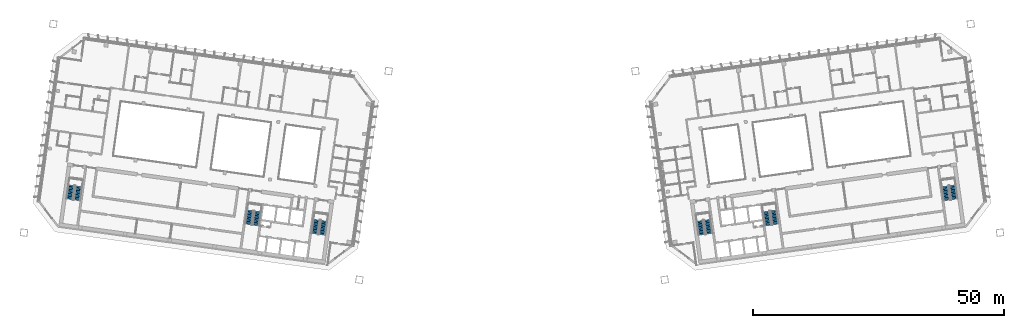
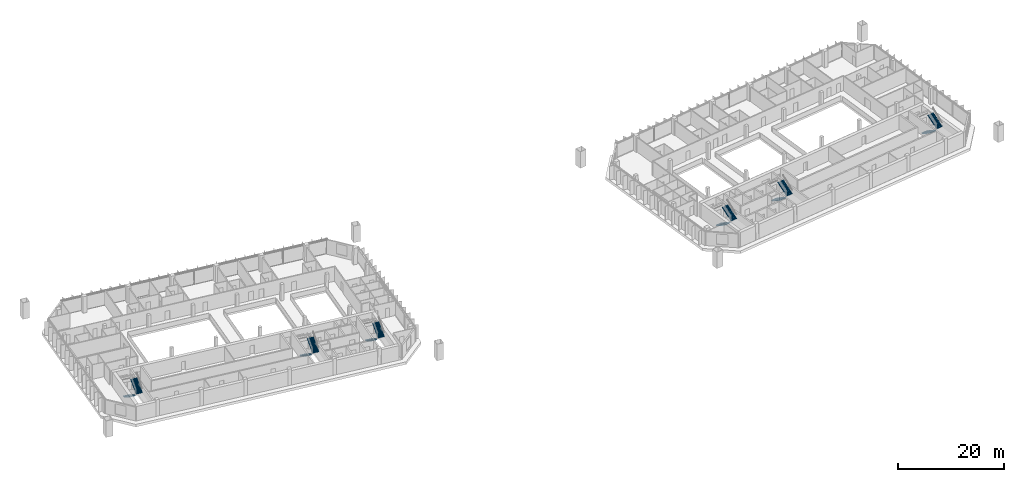
# One storey, part 24 of 26: 12 stair flights, 6 elements without a shape of their own.
"""IFC4 building model written with IfcOpenShell, lengths in metres."""

from ifc_helpers import new_model, si_unit, direction, frame, origin, place, context, subcontext, project, spatial, polyline, outline, extrude, material, type_object, element, aggregate, save


model = new_model("IFC4")

# Units and contexts
model_context = context("Model", 3, precision=1e-05, world=origin(), true_north=direction((0.0, 1.0)))
body_context = subcontext(model_context, "Body", "Model", "MODEL_VIEW")
ifc_project = project(units=[si_unit("LENGTHUNIT", "METRE"), si_unit("AREAUNIT", "SQUARE_METRE"), si_unit("VOLUMEUNIT", "CUBIC_METRE"), si_unit("PLANEANGLEUNIT", "RADIAN"), si_unit("MASSUNIT", "GRAM", prefix="KILO")], contexts=[model_context])

# Site, building, storey
site_placement = place(None, origin())
site = spatial("IfcSite", under=ifc_project, at=site_placement, CompositionType="ELEMENT")
building_placement = place(site_placement, origin())
building = spatial("IfcBuilding", under=site, at=building_placement, Name="Mirante Cascada Hotel Towers", CompositionType="ELEMENT")
storey_placement = place(building_placement, frame((0.0, 0.0, 168.8)))
storey = spatial("IfcBuildingStorey", under=building, at=storey_placement, Name="L39", CompositionType="ELEMENT", Elevation=168.8)

# Stair, stair flights
ifc_material_1 = material(Name="Concrete C35/45", Category="concrete")
stair_type = type_object("IfcStairType", Name="Exit stair half-turn 1350 concrete C35/45", PredefinedType="HALF_TURN_STAIR", material=ifc_material_1)
stair_1_placement = place(storey_placement, origin())
stair_1 = element("IfcStair", 1, at=stair_1_placement, inside=storey, type_object=stair_type, Name="L39 Exit stair A", PredefinedType="HALF_TURN_STAIR")
ifc_material_2 = material(Name="Concrete C35/45", Category="concrete")
stair_flight_type = type_object("IfcStairFlightType", Name="Exit stair flight 1350 concrete C35/45", PredefinedType="STRAIGHT", material=ifc_material_2)
stair_flight_1_placement = place(storey_placement, frame((-38.9417, -11.195, 0.0), z_axis=(0.0, 0.0, 1.0), x_axis=(-0.1391731, -0.9902681, 0.0)))
stair_flight_1 = element("IfcStairFlight", 2, at=stair_flight_1_placement, type_object=stair_flight_type, Name="ST1-A flight 1", NumberOfRisers=11, NumberOfTreads=10, PredefinedType="STRAIGHT", RiserHeight=0.172727273, TreadLength=0.28, context=body_context, shape_type="SweptSolid", body=[
    extrude(outline(polyline([(0.0, 0.0), (0.0, 0.1727), (0.28, 0.1727), (0.28, 0.3455), (0.56, 0.3455), (0.56, 0.5182), (0.84, 0.5182), (0.84, 0.6909), (1.12, 0.6909), (1.12, 0.8636), (1.4, 0.8636), (1.4, 1.0364), (1.68, 1.0364), (1.68, 1.2091), (1.96, 1.2091), (1.96, 1.3818), (2.24, 1.3818), (2.24, 1.5545), (2.52, 1.5545), (2.52, 1.7273), (2.8, 1.7273), (2.8, 1.9), (2.8, 1.551), (0.2857, 0.0), (0.0, 0.0)])), frame((0.0, 0.675, 0.0), z_axis=(0.0, -1.0, 0.0), x_axis=(1.0, 0.0, 0.0)), (0.0, 0.0, 1.0), 1.35),
])
stair_flight_2_placement = place(storey_placement, frame((-37.846, -14.1765, 1.9), z_axis=(0.0, 0.0, 1.0), x_axis=(0.1391731, 0.9902681, 0.0)))
stair_flight_2 = element("IfcStairFlight", 3, at=stair_flight_2_placement, type_object=stair_flight_type, Name="ST1-A flight 2", NumberOfRisers=11, NumberOfTreads=10, PredefinedType="STRAIGHT", RiserHeight=0.172727273, TreadLength=0.28, context=body_context, shape_type="SweptSolid", body=[
    extrude(outline(polyline([(0.0, 0.0), (0.0, 0.1727), (0.28, 0.1727), (0.28, 0.3455), (0.56, 0.3455), (0.56, 0.5182), (0.84, 0.5182), (0.84, 0.6909), (1.12, 0.6909), (1.12, 0.8636), (1.4, 0.8636), (1.4, 1.0364), (1.68, 1.0364), (1.68, 1.2091), (1.96, 1.2091), (1.96, 1.3818), (2.24, 1.3818), (2.24, 1.5545), (2.52, 1.5545), (2.52, 1.7273), (2.8, 1.7273), (2.8, 1.9), (2.8, 1.551), (0.2857, 0.0), (0.0, 0.0)])), frame((0.0, 0.675, 0.0), z_axis=(0.0, -1.0, 0.0), x_axis=(1.0, 0.0, 0.0)), (0.0, 0.0, 1.0), 1.35),
])
aggregate(stair_1, [stair_flight_1, stair_flight_2])

stair_2_placement = place(storey_placement, origin())
stair_2 = element("IfcStair", 4, at=stair_2_placement, inside=storey, type_object=stair_type, Name="L39 Exit stair B", PredefinedType="HALF_TURN_STAIR")
stair_flight_3_placement = place(storey_placement, frame((-52.1618, -9.3371, 0.0), z_axis=(0.0, 0.0, 1.0), x_axis=(-0.1391731, -0.9902681, 0.0)))
stair_flight_3 = element("IfcStairFlight", 5, at=stair_flight_3_placement, type_object=stair_flight_type, Name="ST1-B flight 1", NumberOfRisers=11, NumberOfTreads=10, PredefinedType="STRAIGHT", RiserHeight=0.172727273, TreadLength=0.28, context=body_context, shape_type="SweptSolid", body=[
    extrude(outline(polyline([(0.0, 0.0), (0.0, 0.1727), (0.28, 0.1727), (0.28, 0.3455), (0.56, 0.3455), (0.56, 0.5182), (0.84, 0.5182), (0.84, 0.6909), (1.12, 0.6909), (1.12, 0.8636), (1.4, 0.8636), (1.4, 1.0364), (1.68, 1.0364), (1.68, 1.2091), (1.96, 1.2091), (1.96, 1.3818), (2.24, 1.3818), (2.24, 1.5545), (2.52, 1.5545), (2.52, 1.7273), (2.8, 1.7273), (2.8, 1.9), (2.8, 1.551), (0.2857, 0.0), (0.0, 0.0)])), frame((0.0, 0.675, 0.0), z_axis=(0.0, -1.0, 0.0), x_axis=(1.0, 0.0, 0.0)), (0.0, 0.0, 1.0), 1.35),
])
stair_flight_4_placement = place(storey_placement, frame((-51.0661, -12.3186, 1.9), z_axis=(0.0, 0.0, 1.0), x_axis=(0.1391731, 0.9902681, 0.0)))
stair_flight_4 = element("IfcStairFlight", 6, at=stair_flight_4_placement, type_object=stair_flight_type, Name="ST1-B flight 2", NumberOfRisers=11, NumberOfTreads=10, PredefinedType="STRAIGHT", RiserHeight=0.172727273, TreadLength=0.28, context=body_context, shape_type="SweptSolid", body=[
    extrude(outline(polyline([(0.0, 0.0), (0.0, 0.1727), (0.28, 0.1727), (0.28, 0.3455), (0.56, 0.3455), (0.56, 0.5182), (0.84, 0.5182), (0.84, 0.6909), (1.12, 0.6909), (1.12, 0.8636), (1.4, 0.8636), (1.4, 1.0364), (1.68, 1.0364), (1.68, 1.2091), (1.96, 1.2091), (1.96, 1.3818), (2.24, 1.3818), (2.24, 1.5545), (2.52, 1.5545), (2.52, 1.7273), (2.8, 1.7273), (2.8, 1.9), (2.8, 1.551), (0.2857, 0.0), (0.0, 0.0)])), frame((0.0, 0.675, 0.0), z_axis=(0.0, -1.0, 0.0), x_axis=(1.0, 0.0, 0.0)), (0.0, 0.0, 1.0), 1.35),
])
aggregate(stair_2, [stair_flight_3, stair_flight_4])

stair_3_placement = place(storey_placement, origin())
stair_3 = element("IfcStair", 7, at=stair_3_placement, inside=storey, type_object=stair_type, Name="L39 Exit stair C", PredefinedType="HALF_TURN_STAIR")
stair_flight_5_placement = place(storey_placement, frame((-87.8115, -4.3268, 0.0), z_axis=(0.0, 0.0, 1.0), x_axis=(-0.1391731, -0.9902681, 0.0)))
stair_flight_5 = element("IfcStairFlight", 8, at=stair_flight_5_placement, type_object=stair_flight_type, Name="ST1-C flight 1", NumberOfRisers=11, NumberOfTreads=10, PredefinedType="STRAIGHT", RiserHeight=0.172727273, TreadLength=0.28, context=body_context, shape_type="SweptSolid", body=[
    extrude(outline(polyline([(0.0, 0.0), (0.0, 0.1727), (0.28, 0.1727), (0.28, 0.3455), (0.56, 0.3455), (0.56, 0.5182), (0.84, 0.5182), (0.84, 0.6909), (1.12, 0.6909), (1.12, 0.8636), (1.4, 0.8636), (1.4, 1.0364), (1.68, 1.0364), (1.68, 1.2091), (1.96, 1.2091), (1.96, 1.3818), (2.24, 1.3818), (2.24, 1.5545), (2.52, 1.5545), (2.52, 1.7273), (2.8, 1.7273), (2.8, 1.9), (2.8, 1.551), (0.2857, 0.0), (0.0, 0.0)])), frame((0.0, 0.675, 0.0), z_axis=(0.0, -1.0, 0.0), x_axis=(1.0, 0.0, 0.0)), (0.0, 0.0, 1.0), 1.35),
])
stair_flight_6_placement = place(storey_placement, frame((-86.7157, -7.3084, 1.9), z_axis=(0.0, 0.0, 1.0), x_axis=(0.1391731, 0.9902681, 0.0)))
stair_flight_6 = element("IfcStairFlight", 9, at=stair_flight_6_placement, type_object=stair_flight_type, Name="ST1-C flight 2", NumberOfRisers=11, NumberOfTreads=10, PredefinedType="STRAIGHT", RiserHeight=0.172727273, TreadLength=0.28, context=body_context, shape_type="SweptSolid", body=[
    extrude(outline(polyline([(0.0, 0.0), (0.0, 0.1727), (0.28, 0.1727), (0.28, 0.3455), (0.56, 0.3455), (0.56, 0.5182), (0.84, 0.5182), (0.84, 0.6909), (1.12, 0.6909), (1.12, 0.8636), (1.4, 0.8636), (1.4, 1.0364), (1.68, 1.0364), (1.68, 1.2091), (1.96, 1.2091), (1.96, 1.3818), (2.24, 1.3818), (2.24, 1.5545), (2.52, 1.5545), (2.52, 1.7273), (2.8, 1.7273), (2.8, 1.9), (2.8, 1.551), (0.2857, 0.0), (0.0, 0.0)])), frame((0.0, 0.675, 0.0), z_axis=(0.0, -1.0, 0.0), x_axis=(1.0, 0.0, 0.0)), (0.0, 0.0, 1.0), 1.35),
])
aggregate(stair_3, [stair_flight_5, stair_flight_6])

stair_4_placement = place(storey_placement, origin())
stair_4 = element("IfcStair", 10, at=stair_4_placement, inside=storey, type_object=stair_type, Name="L39 Exit stair A", PredefinedType="HALF_TURN_STAIR")
stair_flight_7_placement = place(storey_placement, frame((37.4563, -11.4038, 0.0), z_axis=(0.0, 0.0, 1.0), x_axis=(0.1391731, -0.9902681, 0.0)))
stair_flight_7 = element("IfcStairFlight", 11, at=stair_flight_7_placement, type_object=stair_flight_type, Name="ST2-A flight 1", NumberOfRisers=11, NumberOfTreads=10, PredefinedType="STRAIGHT", RiserHeight=0.172727273, TreadLength=0.28, context=body_context, shape_type="SweptSolid", body=[
    extrude(outline(polyline([(0.0, 0.0), (0.0, 0.1727), (0.28, 0.1727), (0.28, 0.3455), (0.56, 0.3455), (0.56, 0.5182), (0.84, 0.5182), (0.84, 0.6909), (1.12, 0.6909), (1.12, 0.8636), (1.4, 0.8636), (1.4, 1.0364), (1.68, 1.0364), (1.68, 1.2091), (1.96, 1.2091), (1.96, 1.3818), (2.24, 1.3818), (2.24, 1.5545), (2.52, 1.5545), (2.52, 1.7273), (2.8, 1.7273), (2.8, 1.9), (2.8, 1.551), (0.2857, 0.0), (0.0, 0.0)])), frame((0.0, 0.675, 0.0), z_axis=(0.0, -1.0, 0.0), x_axis=(1.0, 0.0, 0.0)), (0.0, 0.0, 1.0), 1.35),
])
stair_flight_8_placement = place(storey_placement, frame((39.3314, -13.9678, 1.9), z_axis=(0.0, 0.0, 1.0), x_axis=(-0.1391731, 0.9902681, 0.0)))
stair_flight_8 = element("IfcStairFlight", 12, at=stair_flight_8_placement, type_object=stair_flight_type, Name="ST2-A flight 2", NumberOfRisers=11, NumberOfTreads=10, PredefinedType="STRAIGHT", RiserHeight=0.172727273, TreadLength=0.28, context=body_context, shape_type="SweptSolid", body=[
    extrude(outline(polyline([(0.0, 0.0), (0.0, 0.1727), (0.28, 0.1727), (0.28, 0.3455), (0.56, 0.3455), (0.56, 0.5182), (0.84, 0.5182), (0.84, 0.6909), (1.12, 0.6909), (1.12, 0.8636), (1.4, 0.8636), (1.4, 1.0364), (1.68, 1.0364), (1.68, 1.2091), (1.96, 1.2091), (1.96, 1.3818), (2.24, 1.3818), (2.24, 1.5545), (2.52, 1.5545), (2.52, 1.7273), (2.8, 1.7273), (2.8, 1.9), (2.8, 1.551), (0.2857, 0.0), (0.0, 0.0)])), frame((0.0, 0.675, 0.0), z_axis=(0.0, -1.0, 0.0), x_axis=(1.0, 0.0, 0.0)), (0.0, 0.0, 1.0), 1.35),
])
aggregate(stair_4, [stair_flight_7, stair_flight_8])

stair_5_placement = place(storey_placement, origin())
stair_5 = element("IfcStair", 13, at=stair_5_placement, inside=storey, type_object=stair_type, Name="L39 Exit stair B", PredefinedType="HALF_TURN_STAIR")
stair_flight_9_placement = place(storey_placement, frame((50.6764, -9.5458, 0.0), z_axis=(0.0, 0.0, 1.0), x_axis=(0.1391731, -0.9902681, 0.0)))
stair_flight_9 = element("IfcStairFlight", 14, at=stair_flight_9_placement, type_object=stair_flight_type, Name="ST2-B flight 1", NumberOfRisers=11, NumberOfTreads=10, PredefinedType="STRAIGHT", RiserHeight=0.172727273, TreadLength=0.28, context=body_context, shape_type="SweptSolid", body=[
    extrude(outline(polyline([(0.0, 0.0), (0.0, 0.1727), (0.28, 0.1727), (0.28, 0.3455), (0.56, 0.3455), (0.56, 0.5182), (0.84, 0.5182), (0.84, 0.6909), (1.12, 0.6909), (1.12, 0.8636), (1.4, 0.8636), (1.4, 1.0364), (1.68, 1.0364), (1.68, 1.2091), (1.96, 1.2091), (1.96, 1.3818), (2.24, 1.3818), (2.24, 1.5545), (2.52, 1.5545), (2.52, 1.7273), (2.8, 1.7273), (2.8, 1.9), (2.8, 1.551), (0.2857, 0.0), (0.0, 0.0)])), frame((0.0, 0.675, 0.0), z_axis=(0.0, -1.0, 0.0), x_axis=(1.0, 0.0, 0.0)), (0.0, 0.0, 1.0), 1.35),
])
stair_flight_10_placement = place(storey_placement, frame((52.5515, -12.1098, 1.9), z_axis=(0.0, 0.0, 1.0), x_axis=(-0.1391731, 0.9902681, 0.0)))
stair_flight_10 = element("IfcStairFlight", 15, at=stair_flight_10_placement, type_object=stair_flight_type, Name="ST2-B flight 2", NumberOfRisers=11, NumberOfTreads=10, PredefinedType="STRAIGHT", RiserHeight=0.172727273, TreadLength=0.28, context=body_context, shape_type="SweptSolid", body=[
    extrude(outline(polyline([(0.0, 0.0), (0.0, 0.1727), (0.28, 0.1727), (0.28, 0.3455), (0.56, 0.3455), (0.56, 0.5182), (0.84, 0.5182), (0.84, 0.6909), (1.12, 0.6909), (1.12, 0.8636), (1.4, 0.8636), (1.4, 1.0364), (1.68, 1.0364), (1.68, 1.2091), (1.96, 1.2091), (1.96, 1.3818), (2.24, 1.3818), (2.24, 1.5545), (2.52, 1.5545), (2.52, 1.7273), (2.8, 1.7273), (2.8, 1.9), (2.8, 1.551), (0.2857, 0.0), (0.0, 0.0)])), frame((0.0, 0.675, 0.0), z_axis=(0.0, -1.0, 0.0), x_axis=(1.0, 0.0, 0.0)), (0.0, 0.0, 1.0), 1.35),
])
aggregate(stair_5, [stair_flight_9, stair_flight_10])

stair_6_placement = place(storey_placement, origin())
stair_6 = element("IfcStair", 16, at=stair_6_placement, inside=storey, type_object=stair_type, Name="L39 Exit stair C", PredefinedType="HALF_TURN_STAIR")
stair_flight_11_placement = place(storey_placement, frame((86.326, -4.5356, 0.0), z_axis=(0.0, 0.0, 1.0), x_axis=(0.1391731, -0.9902681, 0.0)))
stair_flight_11 = element("IfcStairFlight", 17, at=stair_flight_11_placement, type_object=stair_flight_type, Name="ST2-C flight 1", NumberOfRisers=11, NumberOfTreads=10, PredefinedType="STRAIGHT", RiserHeight=0.172727273, TreadLength=0.28, context=body_context, shape_type="SweptSolid", body=[
    extrude(outline(polyline([(0.0, 0.0), (0.0, 0.1727), (0.28, 0.1727), (0.28, 0.3455), (0.56, 0.3455), (0.56, 0.5182), (0.84, 0.5182), (0.84, 0.6909), (1.12, 0.6909), (1.12, 0.8636), (1.4, 0.8636), (1.4, 1.0364), (1.68, 1.0364), (1.68, 1.2091), (1.96, 1.2091), (1.96, 1.3818), (2.24, 1.3818), (2.24, 1.5545), (2.52, 1.5545), (2.52, 1.7273), (2.8, 1.7273), (2.8, 1.9), (2.8, 1.551), (0.2857, 0.0), (0.0, 0.0)])), frame((0.0, 0.675, 0.0), z_axis=(0.0, -1.0, 0.0), x_axis=(1.0, 0.0, 0.0)), (0.0, 0.0, 1.0), 1.35),
])
stair_flight_12_placement = place(storey_placement, frame((88.2011, -7.0996, 1.9), z_axis=(0.0, 0.0, 1.0), x_axis=(-0.1391731, 0.9902681, 0.0)))
stair_flight_12 = element("IfcStairFlight", 18, at=stair_flight_12_placement, type_object=stair_flight_type, Name="ST2-C flight 2", NumberOfRisers=11, NumberOfTreads=10, PredefinedType="STRAIGHT", RiserHeight=0.172727273, TreadLength=0.28, context=body_context, shape_type="SweptSolid", body=[
    extrude(outline(polyline([(0.0, 0.0), (0.0, 0.1727), (0.28, 0.1727), (0.28, 0.3455), (0.56, 0.3455), (0.56, 0.5182), (0.84, 0.5182), (0.84, 0.6909), (1.12, 0.6909), (1.12, 0.8636), (1.4, 0.8636), (1.4, 1.0364), (1.68, 1.0364), (1.68, 1.2091), (1.96, 1.2091), (1.96, 1.3818), (2.24, 1.3818), (2.24, 1.5545), (2.52, 1.5545), (2.52, 1.7273), (2.8, 1.7273), (2.8, 1.9), (2.8, 1.551), (0.2857, 0.0), (0.0, 0.0)])), frame((0.0, 0.675, 0.0), z_axis=(0.0, -1.0, 0.0), x_axis=(1.0, 0.0, 0.0)), (0.0, 0.0, 1.0), 1.35),
])
aggregate(stair_6, [stair_flight_11, stair_flight_12])

save(model, "model.ifc")
